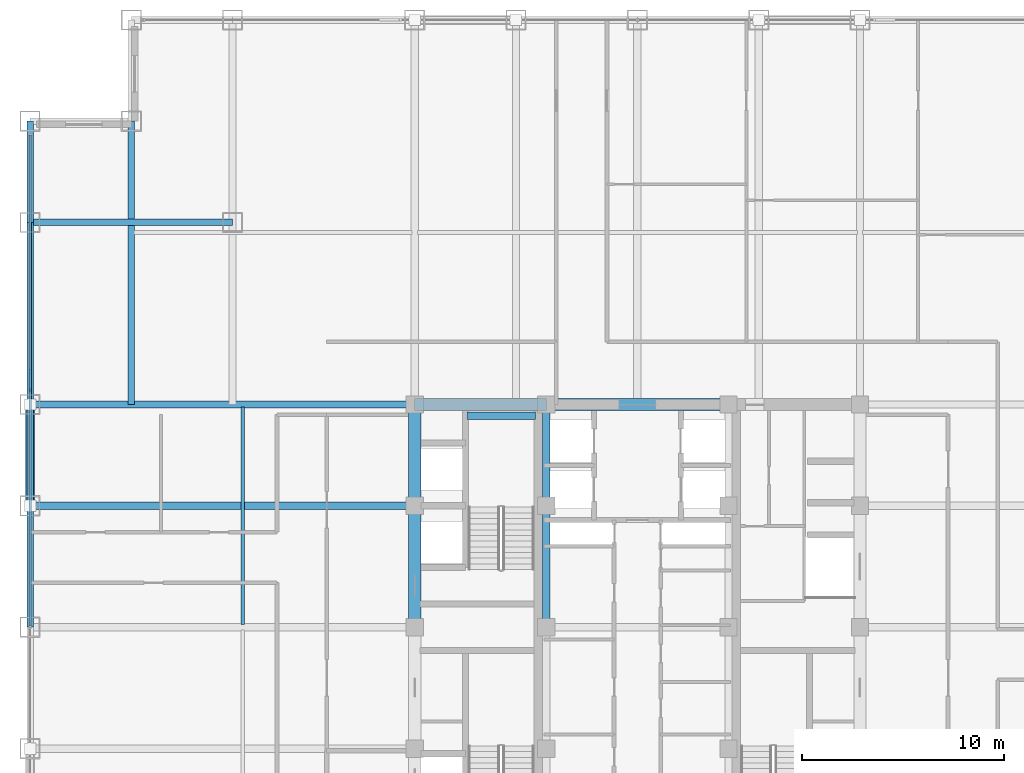
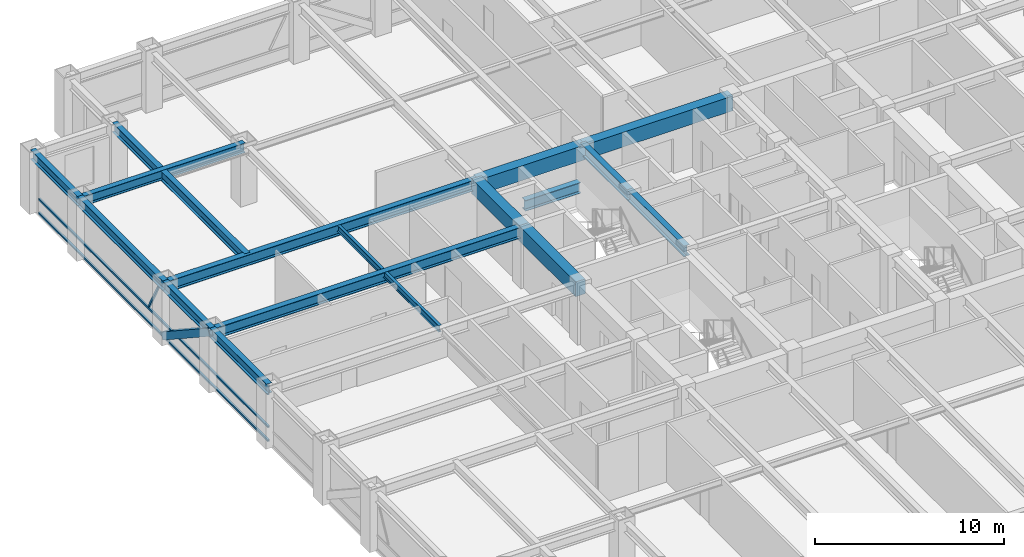
# One storey, part 11 of 25: 16 beams, 5 members, 1 element without a shape of its own.
"""IFC4 building model written with IfcOpenShell, lengths in metres."""

import ifcopenshell
import ifcopenshell.guid

model = None  # the IFC model being written
_history = None  # IfcOwnerHistory: only IFC2X3 demands one
_inside = {}  # id of a spatial element -> (the spatial element, [elements in it])
_under = {}  # id of a project, library or spatial element -> (it, [spatial elements below it])
_declared = {}  # id of a project -> (the project, [libraries it declares])
_typed = {}  # id of a type object -> (the type object, [elements of that type])
_made_of = {}  # id of a material, layer set ... -> (it, [elements and type objects made of it])


def new_model(schema):
    """Start an empty IFC model of exactly this schema.

    Asked for "IFC4X3", IfcOpenShell would pick the latest addendum, in which some entities
    have other attributes; the version numbers below select the first issue.
    IFC2X3 requires an IfcOwnerHistory on every rooted entity: one is made here for all.
    """
    global model, _history
    if schema == "IFC4X3":
        model = ifcopenshell.file(schema_version=(4, 3, 0, 0))
    else:
        model = ifcopenshell.file(schema=schema)
    _inside.clear()
    _under.clear()
    _declared.clear()
    _typed.clear()
    _made_of.clear()
    _history = None
    if model.schema == "IFC2X3":
        org = make("IfcOrganization", Name="unknown")
        user = make(
            "IfcPersonAndOrganization",
            ThePerson=make("IfcPerson", FamilyName="unknown"),
            TheOrganization=org,
        )
        app = make(
            "IfcApplication",
            ApplicationDeveloper=org,
            Version="unknown",
            ApplicationFullName="unknown",
            ApplicationIdentifier="unknown",
        )
        _history = make(
            "IfcOwnerHistory",
            OwningUser=user,
            OwningApplication=app,
            ChangeAction="ADDED",
            CreationDate=0,
        )
    return model


def make(cls, **values):
    """One entity of the class cls with the attributes given. An attribute that is None is left unset."""
    return model.create_entity(
        cls, **{name: value for name, value in values.items() if value is not None}
    )


def rooted(cls, **values):
    """An entity with a GlobalId (a new one), such as an element, a storey or a relation."""
    return make(cls, GlobalId=ifcopenshell.guid.new(), OwnerHistory=_history, **values)


def si_unit(unit_type, name, prefix=None):
    """IfcSIUnit, for example si_unit("LENGTHUNIT", "METRE", prefix="MILLI")."""
    return make("IfcSIUnit", UnitType=unit_type, Prefix=prefix, Name=name)


def assignment(units):
    """IfcUnitAssignment: the units of a project."""
    return None if units is None else make("IfcUnitAssignment", Units=units)


def point(xyz):
    """IfcCartesianPoint."""
    return None if xyz is None else make("IfcCartesianPoint", Coordinates=xyz)


def direction(xyz):
    """IfcDirection."""
    return None if xyz is None else make("IfcDirection", DirectionRatios=xyz)


def frame(location, z_axis=None, x_axis=None):
    """IfcAxis2Placement3D, a coordinate frame: its origin and axes. An axis left out is left unset."""
    return make(
        "IfcAxis2Placement3D",
        Location=point(location),
        Axis=direction(z_axis),
        RefDirection=direction(x_axis),
    )


def frame_2d(location, x_axis=None):
    """IfcAxis2Placement2D, a coordinate frame in the plane: its origin and x axis."""
    return make(
        "IfcAxis2Placement2D", Location=point(location), RefDirection=direction(x_axis)
    )


def origin():
    """The frame at (0, 0, 0) with its axes left unset."""
    return frame((0.0, 0.0, 0.0))


def origin_2d():
    """The frame at (0, 0) in the plane with its x axis left unset."""
    return frame_2d((0.0, 0.0))


def place(relative_to, where):
    """IfcLocalPlacement: puts the frame where relative to a parent placement (None: the world)."""
    return make(
        "IfcLocalPlacement", PlacementRelTo=relative_to, RelativePlacement=where
    )


def context(
    kind, dimensions, precision=None, world=None, true_north=None, identifier=None
):
    """IfcGeometricRepresentationContext, for example the 3D "Model" context."""
    return make(
        "IfcGeometricRepresentationContext",
        ContextIdentifier=identifier,
        ContextType=kind,
        CoordinateSpaceDimension=dimensions,
        Precision=precision,
        WorldCoordinateSystem=world,
        TrueNorth=true_north,
    )


def subcontext(parent, identifier, kind, view, scale=None):
    """IfcGeometricRepresentationSubContext, for example "Body" below "Model"."""
    return make(
        "IfcGeometricRepresentationSubContext",
        ContextIdentifier=identifier,
        ContextType=kind,
        ParentContext=parent,
        TargetScale=scale,
        TargetView=view,
    )


def project(units=None, contexts=None):
    """IfcProject with its units and contexts."""
    return rooted(
        "IfcProject",
        Name="project",
        RepresentationContexts=contexts,
        UnitsInContext=assignment(units),
    )


def spatial(cls, under=None, at=None, **own):
    """A site, building, storey or space (cls), placed at a placement, below another one or the project."""
    s = rooted(cls, ObjectPlacement=at, **own)
    if under is not None:
        _under.setdefault(under.id(), (under, []))[1].append(s)
    return s


def profile(cls, at=None, kind="AREA", **sizes):
    """A parametric profile (cls). Its sizes go by their IFC names, for example OverallWidth=200.0."""
    return make(cls, ProfileType=kind, Position=at, **sizes)


def rectangle(**sizes):
    """IfcRectangleProfileDef."""
    return profile("IfcRectangleProfileDef", **sizes)


def hollow_rectangle(**sizes):
    """IfcRectangleHollowProfileDef."""
    return profile("IfcRectangleHollowProfileDef", **sizes)


def i_section(**sizes):
    """IfcIShapeProfileDef."""
    return profile("IfcIShapeProfileDef", **sizes)


def extrude(swept, where, along, depth):
    """IfcExtrudedAreaSolid: the profile swept, set in the frame where, extruded along a direction by depth."""
    return make(
        "IfcExtrudedAreaSolid",
        SweptArea=swept,
        Position=where,
        ExtrudedDirection=direction(along),
        Depth=depth,
    )


def shape(context_of_items, identifier, shape_type, items):
    """IfcShapeRepresentation: the items that make up one representation, for example the "Body"."""
    return make(
        "IfcShapeRepresentation",
        ContextOfItems=context_of_items,
        RepresentationIdentifier=identifier,
        RepresentationType=shape_type,
        Items=items,
    )


def source(mapping_origin, context_of_items, identifier, shape_type, items):
    """IfcRepresentationMap: a shape defined once, which mapped items show again and again."""
    return make(
        "IfcRepresentationMap",
        MappingOrigin=mapping_origin,
        MappedRepresentation=shape(context_of_items, identifier, shape_type, items),
    )


def transform(
    local_origin,
    x_axis=None,
    y_axis=None,
    z_axis=None,
    scale=None,
    scale2=None,
    scale3=None,
    uniform=True,
):
    """IfcCartesianTransformationOperator3D, or its non-uniform kind. x_axis, y_axis, z_axis: its Axis1, 2, 3."""
    if uniform:
        return make(
            "IfcCartesianTransformationOperator3D",
            Axis1=direction(x_axis),
            Axis2=direction(y_axis),
            LocalOrigin=point(local_origin),
            Scale=scale,
            Axis3=direction(z_axis),
        )
    return make(
        "IfcCartesianTransformationOperator3DnonUniform",
        Axis1=direction(x_axis),
        Axis2=direction(y_axis),
        LocalOrigin=point(local_origin),
        Scale=scale,
        Axis3=direction(z_axis),
        Scale2=scale2,
        Scale3=scale3,
    )


def mapped(mapping_source, mapping_target):
    """IfcMappedItem: shows the shape of a source again, moved by a transform."""
    return make(
        "IfcMappedItem", MappingSource=mapping_source, MappingTarget=mapping_target
    )


def material(Name=None, Category=None):
    """IfcMaterial."""
    return make("IfcMaterial", Name=Name, Category=Category)


def material_profile(
    of_material, cross_section, Name=None, Category=None, Priority=None
):
    """IfcMaterialProfile: a cross section and its material."""
    return make(
        "IfcMaterialProfile",
        Name=Name,
        Material=of_material,
        Profile=cross_section,
        Priority=Priority,
        Category=Category,
    )


def profile_set(profiles, Name=None, composite=None):
    """IfcMaterialProfileSet."""
    return make(
        "IfcMaterialProfileSet",
        Name=Name,
        MaterialProfiles=profiles,
        CompositeProfile=composite,
    )


def made_of(thing, what):
    """Note that an element or type object is made of a material, layer set ...; save() writes the relation."""
    if what is not None:
        _made_of.setdefault(what.id(), (what, []))[1].append(thing)
    return thing


def type_object(cls, material=None, **own):
    """A type object (cls), such as IfcWallType, which elements share."""
    return made_of(rooted(cls, **own), material)


def element(
    cls,
    number,
    at=None,
    inside=None,
    cuts=None,
    type_object=None,
    material=None,
    context=None,
    identifier="Body",
    shape_type=None,
    held_by="IfcProductDefinitionShape",
    body=None,
    shapes=None,
    **own,
):
    """One element of the class cls, such as IfcWall. Its Tag is "e" and its number.

    at: its placement. inside: the storey or other place that contains it. cuts: it is an
    opening in that element (IfcRelVoidsElement). A single representation is given by context,
    identifier, shape_type and body (its items); several are given by shapes. held_by: the class
    of the entity that holds the representations. save() writes the other relations.
    """
    e = rooted(cls, Tag="e%d" % number, ObjectPlacement=at, **own)
    if body is not None:
        shapes = [shape(context, identifier, shape_type, body)]
    if shapes is not None:
        e.Representation = make(held_by, Representations=shapes)
    if inside is not None:
        _inside.setdefault(inside.id(), (inside, []))[1].append(e)
    if cuts is not None:
        rooted(
            "IfcRelVoidsElement", RelatingBuildingElement=cuts, RelatedOpeningElement=e
        )
    if type_object is not None:
        _typed.setdefault(type_object.id(), (type_object, []))[1].append(e)
    return made_of(e, material)


def aggregate(whole, parts):
    """IfcRelAggregates: a whole, such as a stair, and the parts it consists of."""
    return rooted("IfcRelAggregates", RelatingObject=whole, RelatedObjects=parts)


def save(model, path):
    """Write the relations noted so far, then the file.

    IfcRelAggregates (storeys below a building ...), IfcRelContainedInSpatialStructure (elements
    in a storey), IfcRelDefinesByType, IfcRelAssociatesMaterial and IfcRelDeclares: one each for
    every whole, place, type object, material and project.
    """
    for whole, parts in _under.values():
        aggregate(whole, parts)
    for where, things in _inside.values():
        rooted(
            "IfcRelContainedInSpatialStructure",
            RelatedElements=things,
            RelatingStructure=where,
        )
    for kind, things in _typed.values():
        rooted("IfcRelDefinesByType", RelatedObjects=things, RelatingType=kind)
    for what, things in _made_of.values():
        rooted("IfcRelAssociatesMaterial", RelatedObjects=things, RelatingMaterial=what)
    for by, libraries in _declared.values():
        rooted("IfcRelDeclares", RelatingContext=by, RelatedDefinitions=libraries)
    model.write(path)


model = new_model("IFC4")

# Units and contexts
model_context = context("Model", 3, precision=1e-05, world=origin(), true_north=direction((0.0, 1.0)))
body_context = subcontext(model_context, "Body", "Model", "MODEL_VIEW")
ifc_project = project(units=[si_unit("LENGTHUNIT", "METRE"), si_unit("AREAUNIT", "SQUARE_METRE"), si_unit("VOLUMEUNIT", "CUBIC_METRE"), si_unit("PLANEANGLEUNIT", "RADIAN"), si_unit("MASSUNIT", "GRAM", prefix="KILO")], contexts=[model_context])

# Site, building, storey
site_placement = place(None, origin())
site = spatial("IfcSite", under=ifc_project, at=site_placement, CompositionType="ELEMENT")
building_placement = place(site_placement, origin())
building = spatial("IfcBuilding", under=site, at=building_placement, Name="Khorayat Bourse Tower", CompositionType="ELEMENT")
storey_placement = place(building_placement, frame((0.0, 0.0, 251.10009765625)))
storey = spatial("IfcBuildingStorey", under=building, at=storey_placement, Name="L59", CompositionType="ELEMENT", Elevation=251.10009765625)

# Beams
ifc_material_1 = material(Name="Steel ASTM A992 Grade 50", Category="steel")
ifc_material_profile_1 = material_profile(ifc_material_1, i_section(OverallWidth=0.35498046875, OverallDepth=0.695068359375, WebThickness=0.015380859375, FlangeThickness=0.02490234375, FilletRadius=0.01806640625, at=origin_2d()), Name="W690X217")
ifc_profile_set_1 = profile_set([ifc_material_profile_1], Name="Steel ASTM A992 Grade 50")
beam_type_1 = type_object("IfcBeamType", Name="BM-GIRD-690", PredefinedType="BEAM", material=ifc_profile_set_1)
shared_shape_1 = source(origin(), body_context, "Body", "SweptSolid", [
    extrude(i_section(OverallWidth=0.35498046875, OverallDepth=0.695068359375, WebThickness=0.015380859375, FlangeThickness=0.02490234375, FilletRadius=0.01806640625, at=origin_2d()), origin(), (0.0, 0.0, 1.0), 5.0),
])
beam_1_placement = place(storey_placement, frame((-4.5, 6.0, 3.432373046875), z_axis=(0.0, 1.0, 0.0), x_axis=(-1.0, 0.0, 0.0)))
element("IfcBeam", 1, at=beam_1_placement, inside=storey, type_object=beam_type_1, Name="L59 BM-GIRD-690 BM-L59-CRX-08", PredefinedType="BEAM", context=body_context, shape_type="MappedRepresentation", body=[
    mapped(shared_shape_1, transform((0.0, 0.0, 0.0), scale=1.0)),
])
shared_shape_2 = source(origin(), body_context, "Body", "SweptSolid", [
    extrude(i_section(OverallWidth=0.35498046875, OverallDepth=0.695068359375, WebThickness=0.015380859375, FlangeThickness=0.02490234375, FilletRadius=0.01806640625, at=origin_2d()), origin(), (0.0, 0.0, 1.0), 6.0),
])
beam_2_placement = place(storey_placement, frame((-4.5, 0.0, 3.432373046875), z_axis=(0.0, 1.0, 0.0), x_axis=(-1.0, 0.0, 0.0)))
element("IfcBeam", 2, at=beam_2_placement, inside=storey, type_object=beam_type_1, Name="L59 BM-GIRD-690 BM-L59-CRX-07", PredefinedType="BEAM", context=body_context, shape_type="MappedRepresentation", body=[
    mapped(shared_shape_2, transform((0.0, 0.0, 0.0), scale=1.0)),
])
shared_shape_3 = source(origin(), body_context, "Body", "SweptSolid", [
    extrude(i_section(OverallWidth=0.35498046875, OverallDepth=0.695068359375, WebThickness=0.015380859375, FlangeThickness=0.02490234375, FilletRadius=0.01806640625, at=origin_2d()), origin(), (0.0, 0.0, 1.0), 3.39990234375),
])
beam_3_placement = place(storey_placement, frame((-8.419921875, 10.449951171875, 1.452392578125), z_axis=(1.0, 0.0, 0.0), x_axis=(0.0, 1.0, 0.0)))
element("IfcBeam", 3, at=beam_3_placement, inside=storey, type_object=beam_type_1, Name="L59 BM-GIRD-690 BM-L59-ST2L", PredefinedType="BEAM", context=body_context, shape_type="MappedRepresentation", body=[
    mapped(shared_shape_3, transform((0.0, 0.0, 0.0), scale=1.0)),
])
ifc_material_profile_2 = material_profile(ifc_material_1, i_section(OverallWidth=0.324951171875, OverallDepth=0.615966796875, WebThickness=0.013916015625, FlangeThickness=0.021484375, FilletRadius=0.01611328125, at=origin_2d()), Name="W610X174")
ifc_profile_set_2 = profile_set([ifc_material_profile_2], Name="Steel ASTM A992 Grade 50")
beam_type_2 = type_object("IfcBeamType", Name="BM-GIRD-610", PredefinedType="BEAM", material=ifc_profile_set_2)
shared_shape_4 = source(origin(), body_context, "Body", "SweptSolid", [
    extrude(i_section(OverallWidth=0.324951171875, OverallDepth=0.615966796875, WebThickness=0.013916015625, FlangeThickness=0.021484375, FilletRadius=0.01611328125, at=origin_2d()), origin(), (0.0, 0.0, 1.0), 10.0),
])
beam_4_placement = place(storey_placement, frame((-30.0, 20.0, 3.471923828125), z_axis=(1.0, 0.0, 0.0), x_axis=(0.0, 1.0, 0.0)))
element("IfcBeam", 4, at=beam_4_placement, inside=storey, type_object=beam_type_2, Name="L59 BM-GIRD-610 BM-L59-CNRX-095", PredefinedType="BEAM", context=body_context, shape_type="MappedRepresentation", body=[
    mapped(shared_shape_4, transform((0.0, 0.0, 0.0), scale=1.0)),
])
ifc_material_profile_3 = material_profile(ifc_material_1, i_section(OverallWidth=0.180908203125, OverallDepth=0.4169921875, WebThickness=0.010986328125, FlangeThickness=0.018310546875, FilletRadius=0.011962890625, at=origin_2d()), Name="W410X85")
ifc_profile_set_3 = profile_set([ifc_material_profile_3], Name="Steel ASTM A992 Grade 50")
beam_type_3 = type_object("IfcBeamType", Name="BM-JOIST-410", PredefinedType="JOIST", material=ifc_profile_set_3)
shared_shape_5 = source(origin(), body_context, "Body", "SweptSolid", [
    extrude(i_section(OverallWidth=0.180908203125, OverallDepth=0.4169921875, WebThickness=0.010986328125, FlangeThickness=0.018310546875, FilletRadius=0.011962890625, at=origin_2d()), origin(), (0.0, 0.0, 1.0), 10.740234375),
])
beam_5_placement = place(storey_placement, frame((-19.5, 0.1298828125, 3.5712890625), z_axis=(0.0, 1.0, 0.0), x_axis=(-1.0, 0.0, 0.0)))
element("IfcBeam", 5, at=beam_5_placement, inside=storey, type_object=beam_type_3, Name="L59 BM-JOIST-410 BM-L59-JSTY-103", PredefinedType="JOIST", context=body_context, shape_type="MappedRepresentation", body=[
    mapped(shared_shape_5, transform((0.0, 0.0, 0.0), scale=1.0)),
])
ifc_material_profile_4 = material_profile(ifc_material_1, i_section(OverallWidth=0.324951171875, OverallDepth=0.615966796875, WebThickness=0.013916015625, FlangeThickness=0.021484375, FilletRadius=0.01611328125, at=origin_2d()), Name="W610X174")
ifc_profile_set_4 = profile_set([ifc_material_profile_4], Name="Steel ASTM A992 Grade 50")
beam_type_4 = type_object("IfcBeamType", Name="BM-SPAN-610", PredefinedType="SPANDREL", material=ifc_profile_set_4)
shared_shape_6 = source(origin(), body_context, "Body", "SweptSolid", [
    extrude(i_section(OverallWidth=0.324951171875, OverallDepth=0.615966796875, WebThickness=0.013916015625, FlangeThickness=0.021484375, FilletRadius=0.01611328125, at=origin_2d()), origin(), (0.0, 0.0, 1.0), 9.0),
])
beam_6_placement = place(storey_placement, frame((-30.0, 11.0, 3.471923828125), z_axis=(0.0, 1.0, 0.0), x_axis=(-1.0, 0.0, 0.0)))
element("IfcBeam", 6, at=beam_6_placement, inside=storey, type_object=beam_type_4, Name="L59 BM-SPAN-610 BM-L59-SPN-055", PredefinedType="SPANDREL", context=body_context, shape_type="MappedRepresentation", body=[
    mapped(shared_shape_6, transform((0.0, 0.0, 0.0), scale=1.0)),
])
shared_shape_7 = source(origin(), body_context, "Body", "SweptSolid", [
    extrude(i_section(OverallWidth=0.324951171875, OverallDepth=0.615966796875, WebThickness=0.013916015625, FlangeThickness=0.021484375, FilletRadius=0.01611328125, at=origin_2d()), origin(), (0.0, 0.0, 1.0), 5.0),
])
for number, where, z_axis, x_axis, name in (
    (7, (-30.0, 20.0, 3.471923828125), (0.0, 1.0, 0.0), (-1.0, 0.0, 0.0), "L59 BM-SPAN-610 BM-L59-SPN-054"),
    (8, (-30.0, 6.0, 3.471923828125), (0.0, 1.0, 0.0), (-1.0, 0.0, 0.0), "L59 BM-SPAN-610 BM-L59-SPN-056"),
):
    element("IfcBeam", number, at=place(storey_placement, frame(where, z_axis=z_axis, x_axis=x_axis)), inside=storey, type_object=beam_type_4, Name=name, PredefinedType="SPANDREL", context=body_context, shape_type="MappedRepresentation", body=[
        mapped(shared_shape_7, transform((0.0, 0.0, 0.0), scale=1.0)),
    ])
shared_shape_8 = source(origin(), body_context, "Body", "SweptSolid", [
    extrude(i_section(OverallWidth=0.324951171875, OverallDepth=0.615966796875, WebThickness=0.013916015625, FlangeThickness=0.021484375, FilletRadius=0.01611328125, at=origin_2d()), origin(), (0.0, 0.0, 1.0), 6.0),
])
beam_7_placement = place(storey_placement, frame((-30.0, 0.0, 3.471923828125), z_axis=(0.0, 1.0, 0.0), x_axis=(-1.0, 0.0, 0.0)))
element("IfcBeam", 9, at=beam_7_placement, inside=storey, type_object=beam_type_4, Name="L59 BM-SPAN-610 BM-L59-SPN-057", PredefinedType="SPANDREL", context=body_context, shape_type="MappedRepresentation", body=[
    mapped(shared_shape_8, transform((0.0, 0.0, 0.0), scale=1.0)),
])
ifc_material_2 = material(Name="Concrete C60/75", Category="concrete")
ifc_material_profile_5 = material_profile(ifc_material_2, rectangle(XDim=0.60009765625, YDim=0.949951171875, at=origin_2d()), Name="RC 600x950")
ifc_profile_set_5 = profile_set([ifc_material_profile_5], Name="Concrete C60/75")
beam_type_5 = type_object("IfcBeamType", Name="BM-COUP-950", PredefinedType="BEAM", material=ifc_profile_set_5)
shared_shape_9 = source(origin(), body_context, "Body", "SweptSolid", [
    extrude(rectangle(XDim=0.60009765625, YDim=0.949951171875, at=origin_2d()), origin(), (0.0, 0.0, 1.0), 5.0),
])
beam_8_placement = place(storey_placement, frame((-11.0, 6.0, 3.304931640625), z_axis=(0.0, 1.0, 0.0), x_axis=(-1.0, 0.0, 0.0)))
element("IfcBeam", 10, at=beam_8_placement, inside=storey, type_object=beam_type_5, Name="L59 BM-COUP-950 BM-L59-CRX-04", PredefinedType="BEAM", context=body_context, shape_type="MappedRepresentation", body=[
    mapped(shared_shape_9, transform((0.0, 0.0, 0.0), scale=1.0)),
])
shared_shape_10 = source(origin(), body_context, "Body", "SweptSolid", [
    extrude(rectangle(XDim=0.60009765625, YDim=0.949951171875, at=origin_2d()), origin(), (0.0, 0.0, 1.0), 6.0),
])
beam_9_placement = place(storey_placement, frame((-11.0, 0.0, 3.304931640625), z_axis=(0.0, 1.0, 0.0), x_axis=(-1.0, 0.0, 0.0)))
element("IfcBeam", 11, at=beam_9_placement, inside=storey, type_object=beam_type_5, Name="L59 BM-COUP-950 BM-L59-CRX-03", PredefinedType="BEAM", context=body_context, shape_type="MappedRepresentation", body=[
    mapped(shared_shape_10, transform((0.0, 0.0, 0.0), scale=1.0)),
])
shared_shape_11 = source(origin(), body_context, "Body", "SweptSolid", [
    extrude(rectangle(XDim=0.60009765625, YDim=0.949951171875, at=origin_2d()), origin(), (0.0, 0.0, 1.0), 6.5),
])
beam_10_placement = place(storey_placement, frame((-11.0, 11.0, 3.304931640625), z_axis=(1.0, 0.0, 0.0), x_axis=(0.0, 1.0, 0.0)))
element("IfcBeam", 12, at=beam_10_placement, inside=storey, type_object=beam_type_5, Name="L59 BM-COUP-950 BM-L59-CRY-20", PredefinedType="BEAM", context=body_context, shape_type="MappedRepresentation", body=[
    mapped(shared_shape_11, transform((0.0, 0.0, 0.0), scale=1.0)),
])
shared_shape_12 = source(origin(), body_context, "Body", "SweptSolid", [
    extrude(rectangle(XDim=0.60009765625, YDim=0.949951171875, at=origin_2d()), origin(), (0.0, 0.0, 1.0), 9.0),
])
beam_11_placement = place(storey_placement, frame((-4.5, 11.0, 3.304931640625), z_axis=(1.0, 0.0, 0.0), x_axis=(0.0, 1.0, 0.0)))
element("IfcBeam", 13, at=beam_11_placement, inside=storey, type_object=beam_type_5, Name="L59 BM-COUP-950 BM-L59-CRY-21", PredefinedType="BEAM", context=body_context, shape_type="MappedRepresentation", body=[
    mapped(shared_shape_12, transform((0.0, 0.0, 0.0), scale=1.0)),
])
shared_shape_13 = source(origin(), body_context, "Body", "SweptSolid", [
    extrude(i_section(OverallWidth=0.35498046875, OverallDepth=0.695068359375, WebThickness=0.015380859375, FlangeThickness=0.02490234375, FilletRadius=0.01806640625, at=origin_2d()), origin(), (0.0, 0.0, 1.0), 19.0),
])
for number, where, z_axis, x_axis, name in (
    (14, (-30.0, 6.0, 3.432373046875), (1.0, 0.0, 0.0), (0.0, 1.0, 0.0), "L59 BM-GIRD-690 BM-L59-RADX-081"),
    (15, (-30.0, 11.0, 3.432373046875), (1.0, 0.0, 0.0), (0.0, 1.0, 0.0), "L59 BM-GIRD-690 BM-L59-RADX-083"),
):
    element("IfcBeam", number, at=place(storey_placement, frame(where, z_axis=z_axis, x_axis=x_axis)), inside=storey, type_object=beam_type_1, Name=name, PredefinedType="BEAM", context=body_context, shape_type="MappedRepresentation", body=[
        mapped(shared_shape_13, transform((0.0, 0.0, 0.0), scale=1.0)),
    ])
shared_shape_14 = source(origin(), body_context, "Body", "SweptSolid", [
    extrude(i_section(OverallWidth=0.324951171875, OverallDepth=0.615966796875, WebThickness=0.013916015625, FlangeThickness=0.021484375, FilletRadius=0.01611328125, at=origin_2d()), origin(), (0.0, 0.0, 1.0), 14.0),
])
beam_12_placement = place(storey_placement, frame((-25.0, 11.0, 3.471923828125), z_axis=(0.0, 1.0, 0.0), x_axis=(-1.0, 0.0, 0.0)))
element("IfcBeam", 16, at=beam_12_placement, inside=storey, type_object=beam_type_2, Name="L59 BM-GIRD-610 BM-L59-CNRY-089", PredefinedType="BEAM", context=body_context, shape_type="MappedRepresentation", body=[
    mapped(shared_shape_14, transform((0.0, 0.0, 0.0), scale=1.0)),
])

# Member
ifc_material_3 = material(Name="Steel EN 10025-4 S460M", Category="steel")
ifc_material_profile_6 = material_profile(ifc_material_3, hollow_rectangle(XDim=0.449951171875, YDim=0.449951171875, WallThickness=0.02490234375, at=origin_2d()), Name="HSS 450x450x25")
ifc_profile_set_6 = profile_set([ifc_material_profile_6], Name="Steel EN 10025-4 S460M")
member_type_1 = type_object("IfcMemberType", Name="MBR-TUBE-450", PredefinedType="BRACE", material=ifc_profile_set_6)
shared_shape_15 = source(origin(), body_context, "Body", "SweptSolid", [
    extrude(hollow_rectangle(XDim=0.449951171875, YDim=0.449951171875, WallThickness=0.02490234375, at=origin_2d()), origin(), (0.0, 0.0, 1.0), 5.979736328125),
])
member_1_placement = place(storey_placement, frame((-30.0, 6.0, 3.52978515625), z_axis=(0.0, 0.836160261256, -0.548485202623), x_axis=(-1.0, 0.0, 0.0)))
element("IfcMember", 17, at=member_1_placement, inside=storey, type_object=member_type_1, Name="L59 Perimeter Tube Brace 06", PredefinedType="BRACE", context=body_context, shape_type="MappedRepresentation", body=[
    mapped(shared_shape_15, transform((0.0, 0.0, 0.0), scale=1.0)),
])

# Curtain wall, members
ifc_material_4 = material(Name="Aluminium EN AW-6063 T6", Category="aluminium")
curtain_wall_type = type_object("IfcCurtainWallType", Name="CW-SYS-03", PredefinedType="NOTDEFINED", material=ifc_material_4)
curtain_wall_placement = place(storey_placement, origin())
curtain_wall = element("IfcCurtainWall", 18, at=curtain_wall_placement, inside=storey, type_object=curtain_wall_type, Name="L59 Curtain Wall CW-L59-W1", PredefinedType="NOTDEFINED")
ifc_material_profile_7 = material_profile(ifc_material_4, hollow_rectangle(XDim=0.1201171875, YDim=0.1201171875, WallThickness=0.0048828125, at=origin_2d()), Name="ALU 120x120x5")
ifc_profile_set_7 = profile_set([ifc_material_profile_7], Name="Aluminium EN AW-6063 T6")
member_type_2 = type_object("IfcMemberType", Name="CWM-DIAG-120", PredefinedType="MULLION", material=ifc_profile_set_7)
shared_shape_16 = source(origin(), body_context, "Body", "SweptSolid", [
    extrude(hollow_rectangle(XDim=0.1201171875, YDim=0.1201171875, WallThickness=0.0048828125, at=origin_2d()), origin(), (0.0, 0.0, 1.0), 2.079345703125),
])
member_2_placement = place(storey_placement, frame((-30.0, 12.67919921875, 1.08984375), z_axis=(0.0, -0.465760949701, 0.884910581773), x_axis=(1.0, 0.0, 0.0)))
member_2 = element("IfcMember", 19, at=member_2_placement, type_object=member_type_2, Name="CW-L59-W1 Faceted Diagonal Mullion 2", PredefinedType="MULLION", context=body_context, shape_type="MappedRepresentation", body=[
    mapped(shared_shape_16, transform((0.0, 0.0, 0.0), scale=1.0)),
])
ifc_material_profile_8 = material_profile(ifc_material_4, hollow_rectangle(XDim=0.1201171875, YDim=0.1201171875, WallThickness=0.0048828125, at=origin_2d()), Name="ALU 120x120x5")
ifc_profile_set_8 = profile_set([ifc_material_profile_8], Name="Aluminium EN AW-6063 T6")
member_type_3 = type_object("IfcMemberType", Name="CWT-HORZ-120", PredefinedType="USERDEFINED", material=ifc_profile_set_8)
shared_shape_17 = source(origin(), body_context, "Body", "SweptSolid", [
    extrude(hollow_rectangle(XDim=0.1201171875, YDim=0.1201171875, WallThickness=0.0048828125, at=origin_2d()), origin(), (0.0, 0.0, 1.0), 24.27001953125),
])
member_3_placement = place(storey_placement, frame((-30.0, 0.06005859375, 0.059814453125), z_axis=(0.0, 1.0, 0.0), x_axis=(-1.0, 0.0, 0.0)))
member_3 = element("IfcMember", 20, at=member_3_placement, type_object=member_type_3, Name="CW-L59-W1 Horizontal Transom 2-1", ObjectType="TRANSOM", PredefinedType="USERDEFINED", context=body_context, shape_type="MappedRepresentation", body=[
    mapped(shared_shape_17, transform((0.0, 0.0, 0.0), scale=1.0)),
])
member_4_placement = place(storey_placement, frame((-30.0, 0.06005859375, 0.949951171875), z_axis=(0.0, 1.0, 0.0), x_axis=(-1.0, 0.0, 0.0)))
member_4 = element("IfcMember", 21, at=member_4_placement, type_object=member_type_3, Name="CW-L59-W1 Horizontal Transom 2-2", ObjectType="TRANSOM", PredefinedType="USERDEFINED", context=body_context, shape_type="MappedRepresentation", body=[
    mapped(shared_shape_17, transform((0.0, 0.0, 0.0), scale=1.0)),
])
member_5_placement = place(storey_placement, frame((-30.0, 0.06005859375, 3.06982421875), z_axis=(0.0, 1.0, 0.0), x_axis=(-1.0, 0.0, 0.0)))
member_5 = element("IfcMember", 22, at=member_5_placement, type_object=member_type_3, Name="CW-L59-W1 Horizontal Transom 2-3", ObjectType="TRANSOM", PredefinedType="USERDEFINED", context=body_context, shape_type="MappedRepresentation", body=[
    mapped(shared_shape_17, transform((0.0, 0.0, 0.0), scale=1.0)),
])
aggregate(curtain_wall, [member_3, member_4, member_5, member_2])

save(model, "model.ifc")
